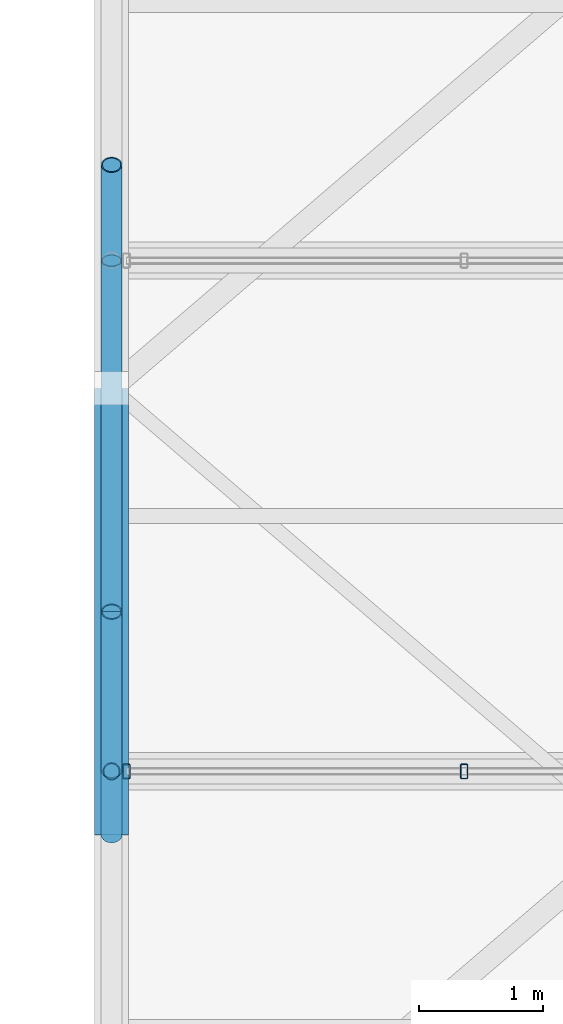
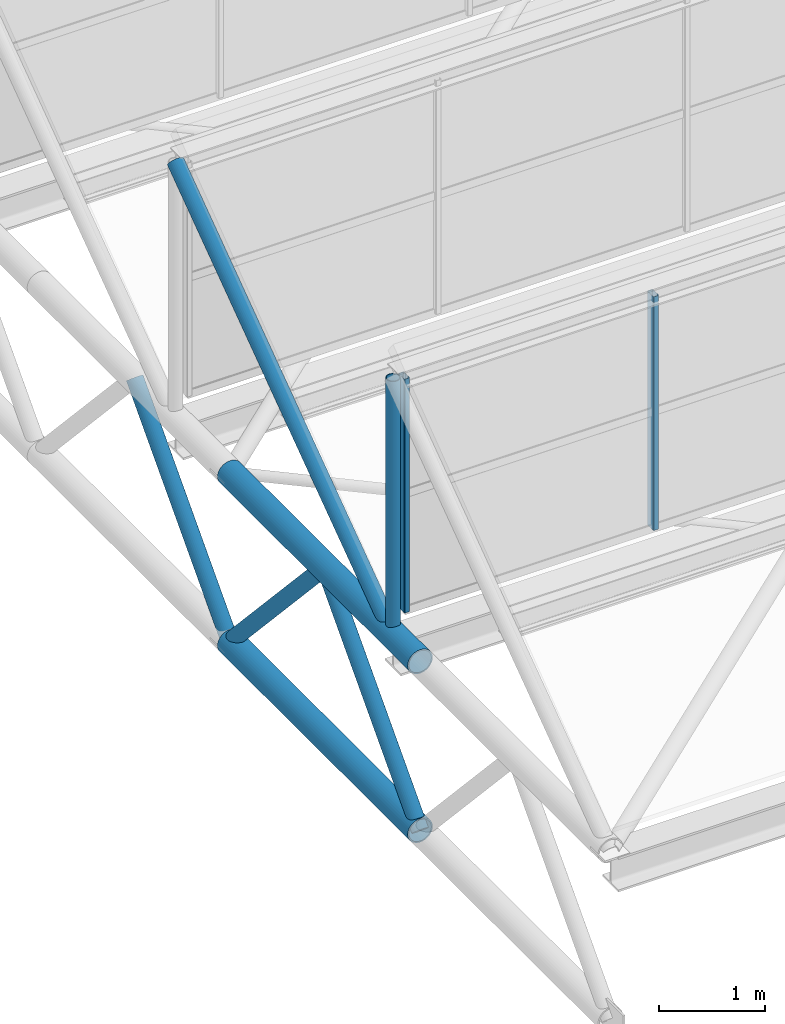
# One storey, part 49 of 134: 9 members, 1 element without a shape of its own.
"""IFC4 building model written with IfcOpenShell, lengths in metres."""

from ifc_helpers import new_model, si_unit, derived_unit, direction, frame, origin, origin_2d, place, context, subcontext, project, spatial, hollow_rectangle, hollow_circle, extrude, material, material_profile, profile_set, type_object, element, aggregate, save


model = new_model("IFC4")

# Units and contexts
model_context = context("Model", 3, precision=1e-05, world=origin(), true_north=direction((0.0, 1.0)))
body_context = subcontext(model_context, "Body", "Model", "MODEL_VIEW")
ifc_project = project(units=[si_unit("LENGTHUNIT", "METRE"), si_unit("AREAUNIT", "SQUARE_METRE"), si_unit("VOLUMEUNIT", "CUBIC_METRE"), si_unit("PLANEANGLEUNIT", "RADIAN"), si_unit("MASSUNIT", "GRAM", prefix="KILO"), derived_unit("THERMALTRANSMITTANCEUNIT", [(si_unit("MASSUNIT", "GRAM", prefix="KILO"), 1), (si_unit("TIMEUNIT", "SECOND"), -3), (si_unit("THERMODYNAMICTEMPERATUREUNIT", "KELVIN"), -1)])], contexts=[model_context])

# Site, building, storey
site_placement = place(None, origin())
site = spatial("IfcSite", under=ifc_project, at=site_placement, CompositionType="ELEMENT")
building_placement = place(site_placement, origin())
building = spatial("IfcBuilding", under=site, at=building_placement, Name="Kharveza Railside Sports Centre", CompositionType="ELEMENT")
storey_placement = place(building_placement, frame((0.0, 0.0, 12.89990234375)))
storey = spatial("IfcBuildingStorey", under=building, at=storey_placement, Name="L03", CompositionType="ELEMENT", Elevation=12.89990234375)

# Curtain wall, members
ifc_material_1 = material(Name="Low-E solar-control laminated glass", Category="glass")
curtain_wall_type = type_object("IfcCurtainWallType", Name="CW-NL02", PredefinedType="NOTDEFINED", material=ifc_material_1)
curtain_wall_placement = place(storey_placement, origin())
curtain_wall = element("IfcCurtainWall", 1, at=curtain_wall_placement, inside=storey, type_object=curtain_wall_type, Name="CW-V2NL-1-1", PredefinedType="NOTDEFINED")
ifc_material_2 = material(Name="Anodised aluminium 6063-T6", Category="aluminium")
ifc_material_profile_1 = material_profile(ifc_material_2, hollow_rectangle(XDim=0.06005859375, YDim=0.1201171875, WallThickness=0.0048828125, InnerFilletRadius=0.0048828125, OuterFilletRadius=0.010009765625, at=origin_2d()), Name="RHS 60x120x5.0")
ifc_profile_set_1 = profile_set([ifc_material_profile_1], Name="Anodised aluminium 6063-T6")
member_type_1 = type_object("IfcMemberType", Name="CW-ML05", PredefinedType="MULLION", material=ifc_profile_set_1)
member_1_placement = place(storey_placement, frame((92.52001953125, 83.314208984375, 2.2001953125), z_axis=(0.0, 0.0, 1.0), x_axis=(1.0, 0.0, 0.0)))
member_1 = element("IfcMember", 2, at=member_1_placement, type_object=member_type_1, Name="CW-V2NL-1-1-ML1", PredefinedType="MULLION", context=body_context, shape_type="SweptSolid", body=[
    extrude(hollow_rectangle(XDim=0.06005859375, YDim=0.1201171875, WallThickness=0.0048828125, InnerFilletRadius=0.0048828125, OuterFilletRadius=0.010009765625, at=origin_2d()), origin(), (0.0, 0.0, 1.0), 2.699951171875),
])
member_2_placement = place(storey_placement, frame((95.239990234375, 83.314208984375, 2.2001953125), z_axis=(0.0, 0.0, 1.0), x_axis=(1.0, 0.0, 0.0)))
member_2 = element("IfcMember", 3, at=member_2_placement, type_object=member_type_1, Name="CW-V2NL-1-1-ML2", PredefinedType="MULLION", context=body_context, shape_type="SweptSolid", body=[
    extrude(hollow_rectangle(XDim=0.06005859375, YDim=0.1201171875, WallThickness=0.0048828125, InnerFilletRadius=0.0048828125, OuterFilletRadius=0.010009765625, at=origin_2d()), origin(), (0.0, 0.0, 1.0), 2.699951171875),
])
aggregate(curtain_wall, [member_1, member_2])

# Members
ifc_material_3 = material(Name="Steel S355J2", Category="steel")
ifc_material_profile_2 = material_profile(ifc_material_3, hollow_circle(Radius=0.136474609375, WallThickness=0.01416015625, at=origin_2d()), Name="CHS 273.0x14.2")
ifc_profile_set_2 = profile_set([ifc_material_profile_2], Name="Steel S355J2")
member_type_2 = type_object("IfcMemberType", Name="MB-CH03", PredefinedType="CHORD", material=ifc_profile_set_2)
for number, where, z_axis, x_axis, name in (
    (4, (92.39990234375, 82.800048828125, 0.0), (0.0, 1.0, 0.0), (-1.0, 0.0, 0.0), "MB-V2TR-BC-1-2"),
    (5, (92.39990234375, 82.800048828125, 1.9501953125), (0.0, 1.0, 0.0), (-1.0, 0.0, 0.0), "MB-V2TR-TC-1-2"),
):
    element("IfcMember", number, at=place(storey_placement, frame(where, z_axis=z_axis, x_axis=x_axis)), inside=storey, type_object=member_type_2, Name=name, PredefinedType="CHORD", context=body_context, shape_type="SweptSolid", body=[
        extrude(hollow_circle(Radius=0.136474609375, WallThickness=0.01416015625, at=origin_2d()), origin(), (0.0, 0.0, 1.0), 3.599853515625),
    ])
ifc_material_profile_3 = material_profile(ifc_material_3, hollow_circle(Radius=0.084228515625, WallThickness=0.010009765625, at=origin_2d()), Name="CHS 168.3x10.0")
ifc_profile_set_3 = profile_set([ifc_material_profile_3], Name="Steel S355J2")
member_type_3 = type_object("IfcMemberType", Name="MB-ST03", PredefinedType="STRUT", material=ifc_profile_set_3)
member_3_placement = place(storey_placement, frame((92.39990234375, 82.800048828125, 0.0), z_axis=(0.0, 0.67825335715, 0.734828131956), x_axis=(-1.0, 0.0, 0.0)))
element("IfcMember", 6, at=member_3_placement, inside=storey, type_object=member_type_3, Name="MB-V2TR-D1-1-2", PredefinedType="STRUT", context=body_context, shape_type="SweptSolid", body=[
    extrude(hollow_circle(Radius=0.084228515625, WallThickness=0.010009765625, at=origin_2d()), origin(), (0.0, 0.0, 1.0), 2.654052734375),
])
member_4_placement = place(storey_placement, frame((92.39990234375, 84.60009765625, 1.9501953125), z_axis=(0.0, 0.678203679629, -0.734873981671), x_axis=(-1.0, 0.0, 0.0)))
element("IfcMember", 7, at=member_4_placement, inside=storey, type_object=member_type_3, Name="MB-V2TR-D2-1-2", PredefinedType="STRUT", context=body_context, shape_type="SweptSolid", body=[
    extrude(hollow_circle(Radius=0.084228515625, WallThickness=0.010009765625, at=origin_2d()), origin(), (0.0, 0.0, 1.0), 2.65380859375),
])
member_5_placement = place(storey_placement, frame((92.39990234375, 86.39990234375, 0.0), z_axis=(0.0, 0.67825335715, 0.734828131956), x_axis=(-1.0, 0.0, 0.0)))
element("IfcMember", 8, at=member_5_placement, inside=storey, type_object=member_type_3, Name="MB-V2TR-D1-1-3", PredefinedType="STRUT", context=body_context, shape_type="SweptSolid", body=[
    extrude(hollow_circle(Radius=0.084228515625, WallThickness=0.010009765625, at=origin_2d()), origin(), (0.0, 0.0, 1.0), 2.654052734375),
])
member_6_placement = place(storey_placement, frame((92.39990234375, 83.314208984375, 1.9501953125), z_axis=(0.0, 0.810830173333, 0.585281496386), x_axis=(-1.0, 0.0, 0.0)))
element("IfcMember", 9, at=member_6_placement, inside=storey, type_object=member_type_3, Name="MB-V2SAW-RFT-2-1", PredefinedType="STRUT", context=body_context, shape_type="SweptSolid", body=[
    extrude(hollow_circle(Radius=0.084228515625, WallThickness=0.010009765625, at=origin_2d()), origin(), (0.0, 0.0, 1.0), 5.074462890625),
])
ifc_material_profile_4 = material_profile(ifc_material_3, hollow_circle(Radius=0.06982421875, WallThickness=0.008056640625, at=origin_2d()), Name="CHS 139.7x8.0")
ifc_profile_set_4 = profile_set([ifc_material_profile_4], Name="Steel S355J2")
member_type_4 = type_object("IfcMemberType", Name="MB-ST04", PredefinedType="STRUT", material=ifc_profile_set_4)
member_7_placement = place(storey_placement, frame((92.39990234375, 83.314208984375, 1.9501953125), z_axis=(0.0, 0.0, 1.0), x_axis=(1.0, 0.0, 0.0)))
element("IfcMember", 10, at=member_7_placement, inside=storey, type_object=member_type_4, Name="MB-V2SAW-PST-1-1", PredefinedType="STRUT", context=body_context, shape_type="SweptSolid", body=[
    extrude(hollow_circle(Radius=0.06982421875, WallThickness=0.008056640625, at=origin_2d()), origin(), (0.0, 0.0, 1.0), 2.969970703125),
])

save(model, "model.ifc")
